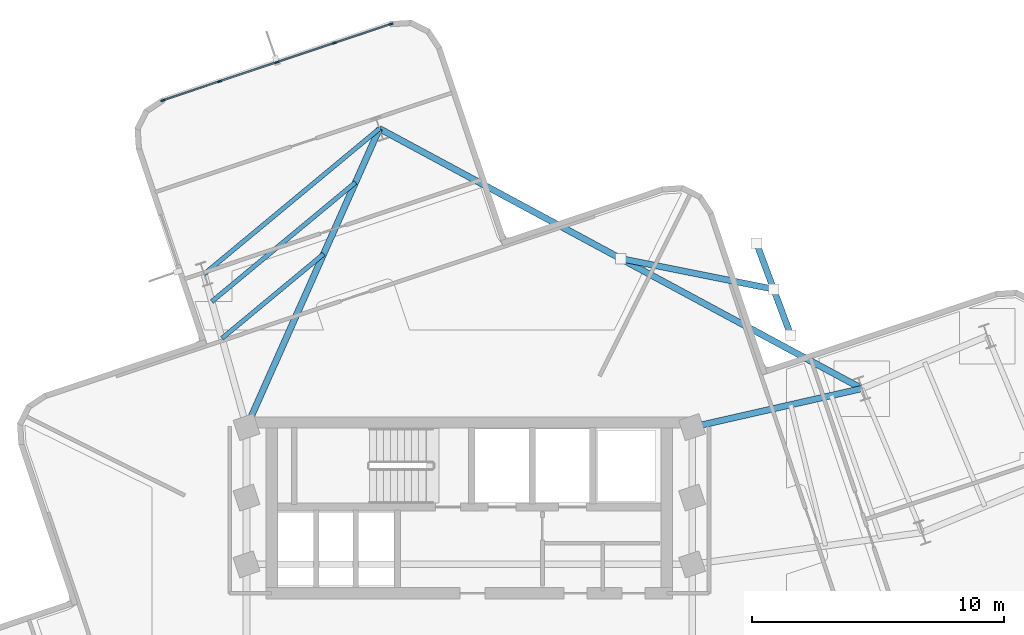
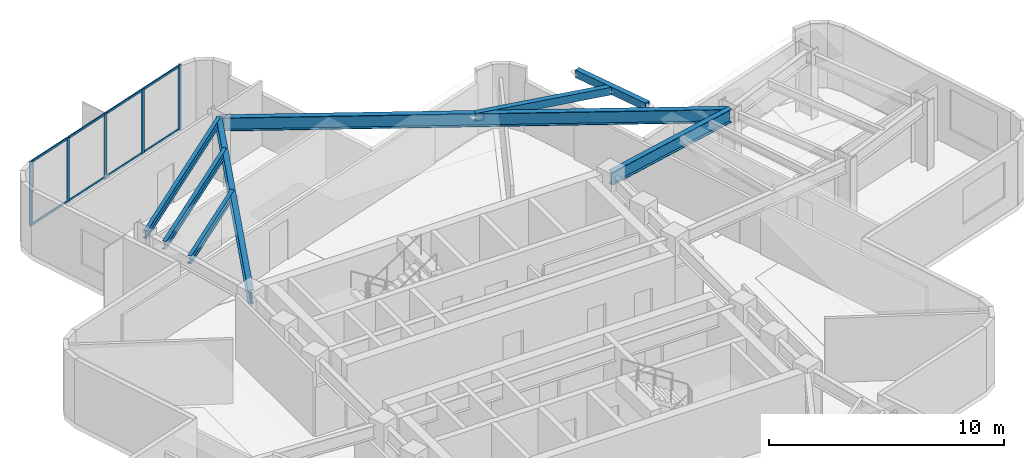
# One storey, part 5 of 12: 13 members, 8 beams, 1 element without a shape of its own.
"""IFC4 building model written with IfcOpenShell, lengths in metres."""

from ifc_helpers import new_model, si_unit, direction, frame, origin, origin_2d, place, context, subcontext, project, spatial, rectangle, hollow_rectangle, i_section, extrude, material, layer, layer_set, material_profile, profile_set, type_object, element, aggregate, save


model = new_model("IFC4")

# Units and contexts
model_context = context("Model", 3, precision=1e-05, world=origin(), true_north=direction((0.0, 1.0)))
body_context = subcontext(model_context, "Body", "Model", "MODEL_VIEW")
ifc_project = project(units=[si_unit("LENGTHUNIT", "METRE"), si_unit("AREAUNIT", "SQUARE_METRE"), si_unit("VOLUMEUNIT", "CUBIC_METRE"), si_unit("PLANEANGLEUNIT", "RADIAN"), si_unit("MASSUNIT", "GRAM", prefix="KILO")], contexts=[model_context])

# Site, building, storey
site_placement = place(None, origin())
site = spatial("IfcSite", under=ifc_project, at=site_placement, CompositionType="ELEMENT")
building_placement = place(site_placement, origin())
building = spatial("IfcBuilding", under=site, at=building_placement, Name="Solmarez Civic Tower", CompositionType="ELEMENT")
storey_placement = place(building_placement, frame((0.0, 0.0, 163.080078125)))
storey = spatial("IfcBuildingStorey", under=building, at=storey_placement, Name="L43", CompositionType="ELEMENT", Elevation=163.080078125)

# Beams
ifc_material_1 = material(Name="Steel S355", Category="steel")
ifc_material_profile_1 = material_profile(ifc_material_1, i_section(OverallWidth=0.178955078125, OverallDepth=0.409912109375, WebThickness=0.0087890625, FlangeThickness=0.014404296875, at=origin_2d()), Name="W16X45")
ifc_profile_set_1 = profile_set([ifc_material_profile_1], Name="Steel S355")
beam_type_1 = type_object("IfcBeamType", Name="BM-JS-W16X45", PredefinedType="JOIST", material=ifc_profile_set_1)
beam_1_placement = place(storey_placement, frame((-3.570068359375, 20.20703125, 3.135009765625), z_axis=(-0.769767664309, -0.638324167633, 0.0), x_axis=(0.638324167633, -0.769767664309, 0.0)))
element("IfcBeam", 1, at=beam_1_placement, inside=storey, type_object=beam_type_1, Name="L43 Secondary Floor Joist BM-L43-NA-T1", PredefinedType="JOIST", context=body_context, shape_type="SweptSolid", body=[
    extrude(i_section(OverallWidth=0.178955078125, OverallDepth=0.409912109375, WebThickness=0.0087890625, FlangeThickness=0.014404296875, at=origin_2d()), origin(), (0.0, 0.0, 1.0), 9.04541015625),
])
beam_2_placement = place(storey_placement, frame((-5.7880859375, 15.22705078125, 3.135009765625), z_axis=(-0.76969549019, -0.63841119381, 0.0), x_axis=(0.63841119381, -0.76969549019, 0.0)))
element("IfcBeam", 2, at=beam_2_placement, inside=storey, type_object=beam_type_1, Name="L43 Secondary Floor Joist JS-L43-NA-M11", PredefinedType="JOIST", context=body_context, shape_type="SweptSolid", body=[
    extrude(i_section(OverallWidth=0.178955078125, OverallDepth=0.409912109375, WebThickness=0.0087890625, FlangeThickness=0.014404296875, at=origin_2d()), origin(), (0.0, 0.0, 1.0), 5.24609375),
])
beam_3_placement = place(storey_placement, frame((-4.52001953125, 18.072998046875, 3.135009765625), z_axis=(-0.769756777075, -0.638337296535, 0.0), x_axis=(0.638337296535, -0.769756777075, 0.0)))
element("IfcBeam", 3, at=beam_3_placement, inside=storey, type_object=beam_type_1, Name="L43 Secondary Floor Joist JS-L43-NA-M12", PredefinedType="JOIST", context=body_context, shape_type="SweptSolid", body=[
    extrude(i_section(OverallWidth=0.178955078125, OverallDepth=0.409912109375, WebThickness=0.0087890625, FlangeThickness=0.014404296875, at=origin_2d()), origin(), (0.0, 0.0, 1.0), 7.41796875),
])
ifc_material_profile_2 = material_profile(ifc_material_1, i_section(OverallWidth=0.25390625, OverallDepth=0.68798828125, WebThickness=0.01318359375, FlangeThickness=0.02099609375, at=origin_2d()), Name="W27X102")
ifc_profile_set_2 = profile_set([ifc_material_profile_2], Name="Steel S355")
beam_type_2 = type_object("IfcBeamType", Name="BM-PR-W27X102", PredefinedType="BEAM", material=ifc_profile_set_2)
beam_4_placement = place(storey_placement, frame((8.85009765625, 8.35009765625, 2.995849609375), z_axis=(0.975124879448, 0.221656196577, 0.0), x_axis=(-0.221656196577, 0.975124879448, 0.0)))
element("IfcBeam", 4, at=beam_4_placement, inside=storey, type_object=beam_type_2, Name="L43 Primary Floor Beam BM-L43-EA-R1B", PredefinedType="BEAM", context=body_context, shape_type="SweptSolid", body=[
    extrude(i_section(OverallWidth=0.25390625, OverallDepth=0.68798828125, WebThickness=0.01318359375, FlangeThickness=0.02099609375, at=origin_2d()), origin(), (0.0, 0.0, 1.0), 6.916015625),
])
beam_5_placement = place(storey_placement, frame((-8.85009765625, 8.35009765625, 2.995849609375), z_axis=(0.406799805731, 0.9135173332, 0.0), x_axis=(-0.9135173332, 0.406799805731, 0.0)))
element("IfcBeam", 5, at=beam_5_placement, inside=storey, type_object=beam_type_2, Name="L43 Primary Floor Beam BM-L43-NA-R1A", PredefinedType="BEAM", context=body_context, shape_type="SweptSolid", body=[
    extrude(i_section(OverallWidth=0.25390625, OverallDepth=0.68798828125, WebThickness=0.01318359375, FlangeThickness=0.02099609375, at=origin_2d()), origin(), (0.0, 0.0, 1.0), 12.9794921875),
])
beam_6_placement = place(storey_placement, frame((15.593994140625, 9.883056640625, 2.995849609375), z_axis=(-0.880377808395, 0.474273037908, 0.0), x_axis=(-0.474273037908, -0.880377808395, 0.0)))
element("IfcBeam", 6, at=beam_6_placement, inside=storey, type_object=beam_type_2, Name="L43 Primary Floor Beam BM-L43-BALC-NEC", PredefinedType="BEAM", context=body_context, shape_type="SweptSolid", body=[
    extrude(i_section(OverallWidth=0.25390625, OverallDepth=0.68798828125, WebThickness=0.01318359375, FlangeThickness=0.02099609375, at=origin_2d()), origin(), (0.0, 0.0, 1.0), 21.76806640625),
])
ifc_material_profile_3 = material_profile(ifc_material_1, hollow_rectangle(XDim=0.25, YDim=0.39990234375, WallThickness=0.01611328125, at=origin_2d()), Name="HSS400X250X16")
ifc_profile_set_3 = profile_set([ifc_material_profile_3], Name="Steel S355")
beam_type_3 = type_object("IfcBeamType", Name="BM-SP-HSS400X250", PredefinedType="SPANDREL", material=ifc_profile_set_3)
beam_7_placement = place(storey_placement, frame((12.76708984375, 12.0029296875, 3.139892578125), z_axis=(-0.348755451606, 0.937213761623, 0.0), x_axis=(-0.937213761623, -0.348755451606, 0.0)))
element("IfcBeam", 7, at=beam_7_placement, inside=storey, type_object=beam_type_3, Name="L43 Perimeter Spandrel Beam BM-L43-BALC-NEE", PredefinedType="SPANDREL", context=body_context, shape_type="SweptSolid", body=[
    extrude(hollow_rectangle(XDim=0.25, YDim=0.39990234375, WallThickness=0.01611328125, at=origin_2d()), origin(), (0.0, 0.0, 1.0), 3.89990234375),
])
beam_8_placement = place(storey_placement, frame((6.011962890625, 15.044921875, 3.139892578125), z_axis=(0.980615522055, -0.195941822757, 0.0), x_axis=(0.195941822757, 0.980615522055, 0.0)))
element("IfcBeam", 8, at=beam_8_placement, inside=storey, type_object=beam_type_3, Name="L43 Perimeter Spandrel Beam BM-L43-BALC-NEM", PredefinedType="SPANDREL", context=body_context, shape_type="SweptSolid", body=[
    extrude(hollow_rectangle(XDim=0.25, YDim=0.39990234375, WallThickness=0.01611328125, at=origin_2d()), origin(), (0.0, 0.0, 1.0), 6.195068359375),
])

# Curtain wall, members
ifc_material_2 = material(Name="Bronze Anodised Aluminium EN AW-6063 T6", Category="aluminium")
ifc_layer = layer(ifc_material_2, 0.175048828125)
ifc_layer_set = layer_set([ifc_layer], Name="Bronze Anodised Aluminium EN AW-6063 T6")
curtain_wall_type = type_object("IfcCurtainWallType", Name="CW-SYS-3", PredefinedType="NOTDEFINED", material=ifc_layer_set)
curtain_wall_placement = place(storey_placement, origin())
curtain_wall = element("IfcCurtainWall", 9, at=curtain_wall_placement, inside=storey, type_object=curtain_wall_type, Name="L43 Stick-Built Curtain Wall 2", PredefinedType="NOTDEFINED")
ifc_material_profile_4 = material_profile(ifc_material_2, rectangle(XDim=0.06494140625, YDim=0.1650390625, at=origin_2d()), Name="CWM-65X165")
ifc_profile_set_4 = profile_set([ifc_material_profile_4], Name="Bronze Anodised Aluminium EN AW-6063 T6")
member_type_1 = type_object("IfcMemberType", Name="CWM-TYPE-3", PredefinedType="MULLION", material=ifc_profile_set_4)
member_1_placement = place(storey_placement, frame((-12.17529296875, 21.329345703125, 0.0), z_axis=(0.0, 0.0, 1.0), x_axis=(-0.317318892633, 0.948318891712, 0.0)))
member_1 = element("IfcMember", 10, at=member_1_placement, type_object=member_type_1, Name="CWS3 mullion 1", PredefinedType="MULLION", context=body_context, shape_type="SweptSolid", body=[
    extrude(rectangle(XDim=0.06494140625, YDim=0.1650390625, at=origin_2d()), origin(), (0.0, 0.0, 1.0), 3.33984375),
])
member_2_placement = place(storey_placement, frame((-9.925048828125, 22.082275390625, 0.0), z_axis=(0.0, 0.0, 1.0), x_axis=(-0.317318892633, 0.948318891712, 0.0)))
member_2 = element("IfcMember", 11, at=member_2_placement, type_object=member_type_1, Name="CWS3 mullion 2", PredefinedType="MULLION", context=body_context, shape_type="SweptSolid", body=[
    extrude(rectangle(XDim=0.06494140625, YDim=0.1650390625, at=origin_2d()), origin(), (0.0, 0.0, 1.0), 3.33984375),
])
member_3_placement = place(storey_placement, frame((-7.64404296875, 22.845458984375, 0.0), z_axis=(0.0, 0.0, 1.0), x_axis=(-0.317318892633, 0.948318891712, 0.0)))
member_3 = element("IfcMember", 12, at=member_3_placement, type_object=member_type_1, Name="CWS3 mullion 3", PredefinedType="MULLION", context=body_context, shape_type="SweptSolid", body=[
    extrude(rectangle(XDim=0.06494140625, YDim=0.1650390625, at=origin_2d()), origin(), (0.0, 0.0, 1.0), 3.33984375),
])
member_4_placement = place(storey_placement, frame((-5.363037109375, 23.608642578125, 0.0), z_axis=(0.0, 0.0, 1.0), x_axis=(-0.317318892633, 0.948318891712, 0.0)))
member_4 = element("IfcMember", 13, at=member_4_placement, type_object=member_type_1, Name="CWS3 mullion 4", PredefinedType="MULLION", context=body_context, shape_type="SweptSolid", body=[
    extrude(rectangle(XDim=0.06494140625, YDim=0.1650390625, at=origin_2d()), origin(), (0.0, 0.0, 1.0), 3.33984375),
])
member_5_placement = place(storey_placement, frame((-3.11279296875, 24.361572265625, 0.0), z_axis=(0.0, 0.0, 1.0), x_axis=(-0.317318892633, 0.948318891712, 0.0)))
member_5 = element("IfcMember", 14, at=member_5_placement, type_object=member_type_1, Name="CWS3 mullion 5", PredefinedType="MULLION", context=body_context, shape_type="SweptSolid", body=[
    extrude(rectangle(XDim=0.06494140625, YDim=0.1650390625, at=origin_2d()), origin(), (0.0, 0.0, 1.0), 3.33984375),
])
ifc_material_profile_5 = material_profile(ifc_material_2, rectangle(XDim=0.06005859375, YDim=0.110107421875, at=origin_2d()), Name="CWT-60X110")
ifc_profile_set_5 = profile_set([ifc_material_profile_5], Name="Bronze Anodised Aluminium EN AW-6063 T6")
member_type_2 = type_object("IfcMemberType", Name="CWT-TYPE-3", PredefinedType="USERDEFINED", material=ifc_profile_set_5)
member_6_placement = place(storey_placement, frame((-12.144287109375, 21.339599609375, 0.030029296875), z_axis=(0.948301765972, 0.317370068933, 0.0), x_axis=(-0.317370068933, 0.948301765972, 0.0)))
member_6 = element("IfcMember", 15, at=member_6_placement, type_object=member_type_2, Name="CWS3 transom 1.1", ObjectType="TRANSOM", PredefinedType="USERDEFINED", context=body_context, shape_type="SweptSolid", body=[
    extrude(rectangle(XDim=0.06005859375, YDim=0.110107421875, at=origin_2d()), origin(), (0.0, 0.0, 1.0), 2.307861328125),
])
member_7_placement = place(storey_placement, frame((-12.144287109375, 21.339599609375, 3.309814453125), z_axis=(0.948301765972, 0.317370068933, 0.0), x_axis=(-0.317370068933, 0.948301765972, 0.0)))
member_7 = element("IfcMember", 16, at=member_7_placement, type_object=member_type_2, Name="CWS3 transom 1.2", ObjectType="TRANSOM", PredefinedType="USERDEFINED", context=body_context, shape_type="SweptSolid", body=[
    extrude(rectangle(XDim=0.06005859375, YDim=0.110107421875, at=origin_2d()), origin(), (0.0, 0.0, 1.0), 2.307861328125),
])
member_8_placement = place(storey_placement, frame((-9.894287109375, 22.092529296875, 0.030029296875), z_axis=(0.948317567155, 0.317322851093, 0.0), x_axis=(-0.317322851093, 0.948317567155, 0.0)))
member_8 = element("IfcMember", 17, at=member_8_placement, type_object=member_type_2, Name="CWS3 transom 2.1", ObjectType="TRANSOM", PredefinedType="USERDEFINED", context=body_context, shape_type="SweptSolid", body=[
    extrude(rectangle(XDim=0.06005859375, YDim=0.110107421875, at=origin_2d()), origin(), (0.0, 0.0, 1.0), 2.34033203125),
])
member_9_placement = place(storey_placement, frame((-9.894287109375, 22.092529296875, 3.309814453125), z_axis=(0.948317567155, 0.317322851093, 0.0), x_axis=(-0.317322851093, 0.948317567155, 0.0)))
member_9 = element("IfcMember", 18, at=member_9_placement, type_object=member_type_2, Name="CWS3 transom 2.2", ObjectType="TRANSOM", PredefinedType="USERDEFINED", context=body_context, shape_type="SweptSolid", body=[
    extrude(rectangle(XDim=0.06005859375, YDim=0.110107421875, at=origin_2d()), origin(), (0.0, 0.0, 1.0), 2.34033203125),
])
member_10_placement = place(storey_placement, frame((-7.61328125, 22.855712890625, 0.030029296875), z_axis=(0.948317567155, 0.317322851093, 0.0), x_axis=(-0.317322851093, 0.948317567155, 0.0)))
member_10 = element("IfcMember", 19, at=member_10_placement, type_object=member_type_2, Name="CWS3 transom 3.1", ObjectType="TRANSOM", PredefinedType="USERDEFINED", context=body_context, shape_type="SweptSolid", body=[
    extrude(rectangle(XDim=0.06005859375, YDim=0.110107421875, at=origin_2d()), origin(), (0.0, 0.0, 1.0), 2.34033203125),
])
member_11_placement = place(storey_placement, frame((-7.61328125, 22.855712890625, 3.309814453125), z_axis=(0.948317567155, 0.317322851093, 0.0), x_axis=(-0.317322851093, 0.948317567155, 0.0)))
member_11 = element("IfcMember", 20, at=member_11_placement, type_object=member_type_2, Name="CWS3 transom 3.2", ObjectType="TRANSOM", PredefinedType="USERDEFINED", context=body_context, shape_type="SweptSolid", body=[
    extrude(rectangle(XDim=0.06005859375, YDim=0.110107421875, at=origin_2d()), origin(), (0.0, 0.0, 1.0), 2.34033203125),
])
member_12_placement = place(storey_placement, frame((-5.332275390625, 23.619140625, 0.030029296875), z_axis=(0.948344249045, 0.31724310127, 0.0), x_axis=(-0.31724310127, 0.948344249045, 0.0)))
member_12 = element("IfcMember", 21, at=member_12_placement, type_object=member_type_2, Name="CWS3 transom 4.1", ObjectType="TRANSOM", PredefinedType="USERDEFINED", context=body_context, shape_type="SweptSolid", body=[
    extrude(rectangle(XDim=0.06005859375, YDim=0.110107421875, at=origin_2d()), origin(), (0.0, 0.0, 1.0), 2.307861328125),
])
member_13_placement = place(storey_placement, frame((-5.332275390625, 23.619140625, 3.309814453125), z_axis=(0.948344249045, 0.31724310127, 0.0), x_axis=(-0.31724310127, 0.948344249045, 0.0)))
member_13 = element("IfcMember", 22, at=member_13_placement, type_object=member_type_2, Name="CWS3 transom 4.2", ObjectType="TRANSOM", PredefinedType="USERDEFINED", context=body_context, shape_type="SweptSolid", body=[
    extrude(rectangle(XDim=0.06005859375, YDim=0.110107421875, at=origin_2d()), origin(), (0.0, 0.0, 1.0), 2.307861328125),
])
aggregate(curtain_wall, [member_1, member_2, member_3, member_4, member_5, member_6, member_7, member_8, member_9, member_10, member_11, member_12, member_13])

save(model, "model.ifc")
